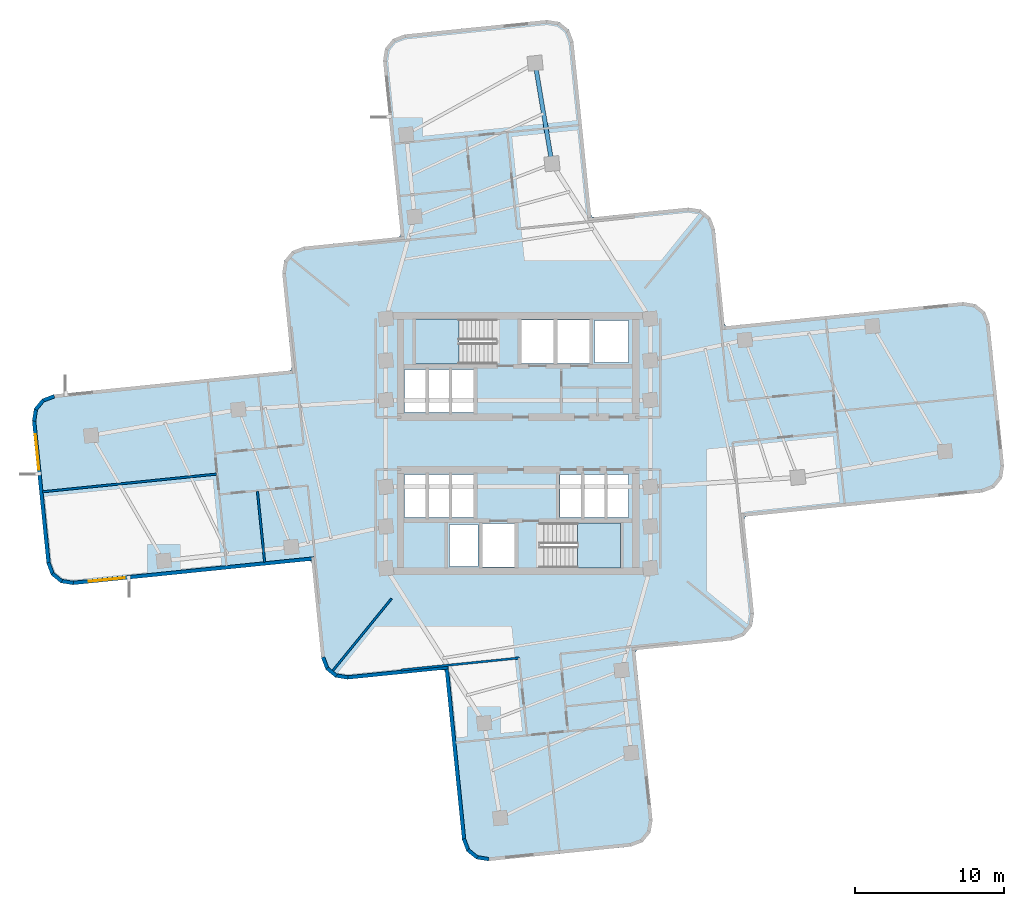
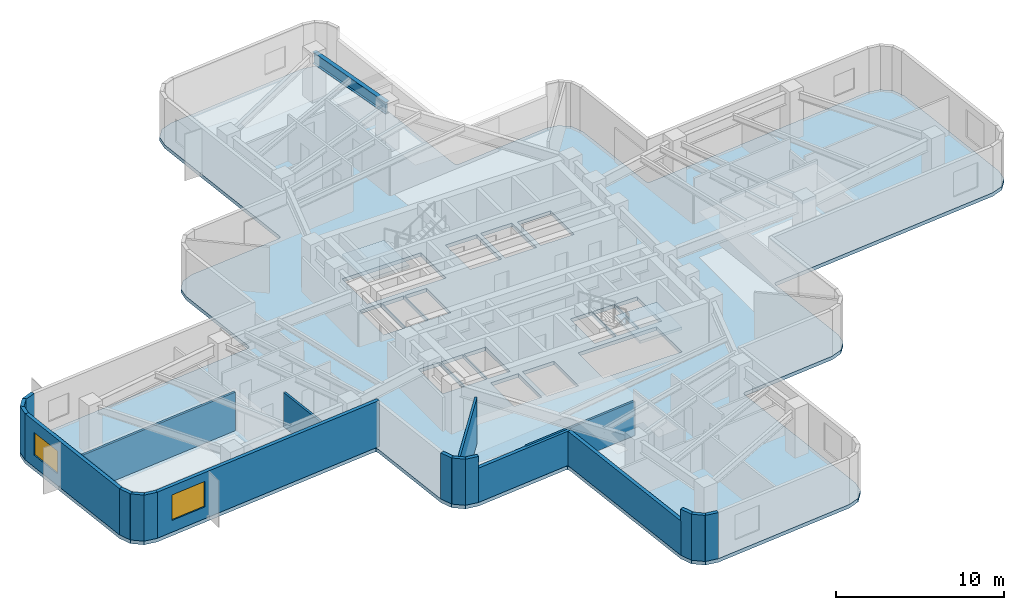
# One storey, part 2 of 9: 20 walls, 3 slabs, 2 windows, 1 beam, 2 openings, 2 elements without a shape of their own.
"""IFC4 building model written with IfcOpenShell, lengths in metres."""

from ifc_helpers import new_model, si_unit, direction, frame, frame_2d, origin, origin_2d, place, context, subcontext, project, spatial, polyline, rectangle, i_section, outline, extrude, material, layer, layer_set, material_profile, profile_set, type_object, element, fill, aggregate, save


model = new_model("IFC4")

# Units and contexts
model_context = context("Model", 3, precision=1e-05, world=origin(), true_north=direction((0.0, 1.0)))
body_context = subcontext(model_context, "Body", "Model", "MODEL_VIEW")
ifc_project = project(units=[si_unit("LENGTHUNIT", "METRE"), si_unit("AREAUNIT", "SQUARE_METRE"), si_unit("VOLUMEUNIT", "CUBIC_METRE"), si_unit("PLANEANGLEUNIT", "RADIAN"), si_unit("MASSUNIT", "GRAM", prefix="KILO")], contexts=[model_context])

# Site, building, storey
site_placement = place(None, origin())
site = spatial("IfcSite", under=ifc_project, at=site_placement, CompositionType="ELEMENT")
building_placement = place(site_placement, origin())
building = spatial("IfcBuilding", under=site, at=building_placement, Name="Solmarez Civic Tower", CompositionType="ELEMENT")
storey_placement = place(building_placement, frame((0.0, 0.0, 71.280029296875)))
storey = spatial("IfcBuildingStorey", under=building, at=storey_placement, Name="L18", CompositionType="ELEMENT", Elevation=71.280029296875)

# Beam
ifc_material_1 = material(Name="Steel S355", Category="steel")
ifc_material_profile = material_profile(ifc_material_1, i_section(OverallWidth=0.2919921875, OverallDepth=0.845947265625, WebThickness=0.015380859375, FlangeThickness=0.0244140625, at=origin_2d()), Name="W33X141")
ifc_profile_set = profile_set([ifc_material_profile], Name="Steel S355")
beam_type = type_object("IfcBeamType", Name="BM-PR-W33X141", PredefinedType="BEAM", material=ifc_profile_set)
beam_placement = place(storey_placement, frame((2.27099609375, 18.72412109375, 2.9169921875), z_axis=(-0.165813708215, 0.986157094062, 0.0), x_axis=(-0.986157094062, -0.165813708215, 0.0)))
element("IfcBeam", 1, at=beam_placement, inside=storey, type_object=beam_type, Name="L18 Primary Floor Beam BM-L18-NA-R2A", PredefinedType="BEAM", context=body_context, shape_type="SweptSolid", body=[
    extrude(i_section(OverallWidth=0.2919921875, OverallDepth=0.845947265625, WebThickness=0.015380859375, FlangeThickness=0.0244140625, at=origin_2d()), origin(), (0.0, 0.0, 1.0), 6.827392578125),
])

# Stair, slab
ifc_material_2 = material(Name="Concrete C50/60", Category="concrete")
stair_type = type_object("IfcStairType", Name="STAIR-DOGLEG-140W-20R-1800", PredefinedType="HALF_TURN_STAIR", material=ifc_material_2)
stair_1_placement = place(storey_placement, origin())
stair_1 = element("IfcStair", 2, at=stair_1_placement, inside=storey, type_object=stair_type, Name="L18 North Core Protected Exit Stair ST-1", PredefinedType="HALF_TURN_STAIR")
ifc_layer_1 = layer(ifc_material_2, 0.199951171875)
ifc_layer_set_1 = layer_set([ifc_layer_1], Name="Concrete C50/60")
slab_type_1 = type_object("IfcSlabType", Name="SLAB-LANDING-200", PredefinedType="LANDING", material=ifc_layer_set_1)
slab_1_placement = place(storey_placement, frame((0.0, 0.0, 1.599853515625)))
slab_1 = element("IfcSlab", 3, at=slab_1_placement, type_object=slab_type_1, Name="ST-1 landing 1", PredefinedType="LANDING", context=body_context, shape_type="SweptSolid", body=[
    extrude(outline(polyline([(-3.969970703125, 8.320068359375), (-6.85009765625, 8.320068359375), (-6.85009765625, 5.320068359375), (-3.969970703125, 5.320068359375), (-3.969970703125, 8.320068359375)])), origin(), (0.0, 0.0, 1.0), 0.2001953125),
])
aggregate(stair_1, [slab_1])

stair_2_placement = place(storey_placement, origin())
stair_2 = element("IfcStair", 4, at=stair_2_placement, inside=storey, type_object=stair_type, Name="L18 South Core Protected Exit Stair ST-2", PredefinedType="HALF_TURN_STAIR")
slab_2_placement = place(storey_placement, frame((0.0, 0.0, 1.599853515625)))
slab_2 = element("IfcSlab", 5, at=slab_2_placement, type_object=slab_type_1, Name="ST-2 landing 1", PredefinedType="LANDING", context=body_context, shape_type="SweptSolid", body=[
    extrude(outline(polyline([(3.969970703125, -8.320068359375), (6.85009765625, -8.320068359375), (6.85009765625, -5.320068359375), (3.969970703125, -5.320068359375), (3.969970703125, -8.320068359375)])), origin(), (0.0, 0.0, 1.0), 0.2001953125),
])
aggregate(stair_2, [slab_2])

# Slab
ifc_layer_2 = layer(ifc_material_2, 0.260009765625)
ifc_layer_set_2 = layer_set([ifc_layer_2], Name="Concrete C50/60")
slab_type_2 = type_object("IfcSlabType", Name="SLAB-TOWER-260", PredefinedType="FLOOR", material=ifc_layer_set_2)
slab_3_placement = place(storey_placement, frame((0.0, 0.0, -0.260009765625)))
element("IfcSlab", 6, at=slab_3_placement, inside=storey, type_object=slab_type_2, Name="L18 Structural Slab", PredefinedType="FLOOR", context=body_context, shape_type="SweptSolid", body=[
    extrude(outline(polyline([(-13.806884765625, -8.047119140625), (-13.1669921875, -14.35400390625), (-12.873046875, -15.1279296875), (-12.23095703125, -15.652099609375), (-11.4130859375, -15.783935546875), (-5.10595703125, -15.14404296875), (-4.93701171875, -15.1708984375), (-4.8759765625, -15.33203125), (-3.739990234375, -26.513916015625), (-3.446044921875, -27.2880859375), (-2.803955078125, -27.81103515625), (-1.986083984375, -27.944091796875), (7.56494140625, -26.97412109375), (8.339111328125, -26.679931640625), (8.862060546875, -26.0380859375), (8.9951171875, -25.219970703125), (7.85888671875, -14.0380859375), (7.885986328125, -13.868896484375), (8.047119140625, -13.806884765625), (14.35400390625, -13.1669921875), (15.1279296875, -12.873046875), (15.652099609375, -12.23095703125), (15.783935546875, -11.4130859375), (15.14404296875, -5.10595703125), (15.1708984375, -4.93701171875), (15.33203125, -4.8759765625), (31.090087890625, -3.27490234375), (31.864013671875, -2.98095703125), (32.387939453125, -2.339111328125), (32.52001953125, -1.52099609375), (31.550048828125, 8.029052734375), (31.256103515625, 8.803955078125), (30.614013671875, 9.326904296875), (29.797119140625, 9.4599609375), (14.0380859375, 7.85888671875), (13.868896484375, 7.885986328125), (13.806884765625, 8.047119140625), (13.1669921875, 14.35400390625), (12.873046875, 15.1279296875), (12.23095703125, 15.652099609375), (11.4130859375, 15.783935546875), (5.10595703125, 15.14404296875), (4.93701171875, 15.1708984375), (4.8759765625, 15.33203125), (3.698974609375, 26.912109375), (3.405029296875, 27.68603515625), (2.762939453125, 28.208984375), (1.946044921875, 28.342041015625), (-7.60498046875, 27.3720703125), (-8.37890625, 27.076904296875), (-8.903076171875, 26.43603515625), (-9.034912109375, 25.617919921875), (-7.85888671875, 14.0380859375), (-7.885986328125, 13.868896484375), (-8.047119140625, 13.806884765625), (-14.35400390625, 13.1669921875), (-15.1279296875, 12.873046875), (-15.652099609375, 12.23095703125), (-15.783935546875, 11.4130859375), (-15.14404296875, 5.10595703125), (-15.1708984375, 4.93701171875), (-15.33203125, 4.8759765625), (-31.090087890625, 3.27490234375), (-31.864013671875, 2.98095703125), (-32.387939453125, 2.339111328125), (-32.52001953125, 1.52099609375), (-31.550048828125, -8.029052734375), (-31.256103515625, -8.803955078125), (-30.614013671875, -9.326904296875), (-29.797119140625, -9.4599609375), (-14.0380859375, -7.85888671875), (-13.868896484375, -7.885986328125), (-13.806884765625, -8.047119140625)]), holes=[polyline([(-1.449951171875, 8.320068359375), (-6.85009765625, 8.320068359375), (-6.85009765625, 5.320068359375), (-1.449951171875, 5.320068359375), (-1.449951171875, 8.320068359375)]), polyline([(1.449951171875, -8.320068359375), (6.85009765625, -8.320068359375), (6.85009765625, -5.320068359375), (1.449951171875, -5.320068359375), (1.449951171875, -8.320068359375)]), polyline([(0.219970703125, 5.360107421875), (2.3798828125, 5.360107421875), (2.3798828125, 8.280029296875), (0.219970703125, 8.280029296875), (0.219970703125, 5.360107421875)]), polyline([(2.6201171875, 5.360107421875), (4.780029296875, 5.360107421875), (4.780029296875, 8.280029296875), (2.6201171875, 8.280029296875), (2.6201171875, 5.360107421875)]), polyline([(-2.3798828125, -8.280029296875), (-0.219970703125, -8.280029296875), (-0.219970703125, -5.360107421875), (-2.3798828125, -5.360107421875), (-2.3798828125, -8.280029296875)]), polyline([(2.800048828125, -4.9599609375), (4.280029296875, -4.9599609375), (4.280029296875, -2.06005859375), (2.800048828125, -2.06005859375), (2.800048828125, -4.9599609375)]), polyline([(4.360107421875, -4.9599609375), (5.840087890625, -4.9599609375), (5.840087890625, -2.06005859375), (4.360107421875, -2.06005859375), (4.360107421875, -4.9599609375)]), polyline([(5.919921875, -4.9599609375), (7.39990234375, -4.9599609375), (7.39990234375, -2.06005859375), (5.919921875, -2.06005859375), (5.919921875, -4.9599609375)]), polyline([(-7.60009765625, -4.9599609375), (-6.1201171875, -4.9599609375), (-6.1201171875, -2.06005859375), (-7.60009765625, -2.06005859375), (-7.60009765625, -4.9599609375)]), polyline([(-6.0400390625, -4.9599609375), (-4.56005859375, -4.9599609375), (-4.56005859375, -2.06005859375), (-6.0400390625, -2.06005859375), (-6.0400390625, -4.9599609375)]), polyline([(-4.47998046875, -4.9599609375), (-3.0, -4.9599609375), (-3.0, -2.06005859375), (-4.47998046875, -2.06005859375), (-4.47998046875, -4.9599609375)]), polyline([(-7.60009765625, 2.06005859375), (-6.1201171875, 2.06005859375), (-6.1201171875, 4.9599609375), (-7.60009765625, 4.9599609375), (-7.60009765625, 2.06005859375)]), polyline([(-6.0400390625, 2.06005859375), (-4.56005859375, 2.06005859375), (-4.56005859375, 4.9599609375), (-6.0400390625, 4.9599609375), (-6.0400390625, 2.06005859375)]), polyline([(-4.47998046875, 2.06005859375), (-3.0, 2.06005859375), (-3.0, 4.9599609375), (-4.47998046875, 4.9599609375), (-4.47998046875, 2.06005859375)]), polyline([(5.10009765625, 5.419921875), (7.39990234375, 5.419921875), (7.39990234375, 8.219970703125), (5.10009765625, 8.219970703125), (5.10009765625, 5.419921875)]), polyline([(-4.60009765625, -8.219970703125), (-2.699951171875, -8.219970703125), (-2.699951171875, -5.419921875), (-4.60009765625, -5.419921875), (-4.60009765625, -8.219970703125)])]), origin(), (0.0, 0.0, 1.0), 0.260009765625),
])

# Wall, opening, window
ifc_material_3 = material(Name="Precast concrete C40/50", Category="concrete")
ifc_layer_3 = layer(ifc_material_3, 0.239990234375)
ifc_layer_set_3 = layer_set([ifc_layer_3], Name="Precast concrete C40/50")
wall_type_1 = type_object("IfcWallType", Name="WALL-EXT-240", PredefinedType="SOLIDWALL", material=ifc_layer_set_3)
wall_1_placement = place(storey_placement, frame((-13.6259765625, -7.696044921875, 0.0), z_axis=(0.0, 0.0, 1.0), x_axis=(-0.994872930989, -0.101132839298, 0.0)))
wall_1 = element("IfcWall", 7, at=wall_1_placement, inside=storey, type_object=wall_type_1, Name="L18 Exterior Precast Wall 2", PredefinedType="SOLIDWALL", context=body_context, shape_type="SweptSolid", body=[
    extrude(rectangle(XDim=16.275634765625, YDim=0.239990234375, at=frame_2d((8.1376953125, 0.0))), origin(), (0.0, 0.0, 1.0), 3.340087890625),
])
opening_1_placement = place(wall_1_placement, frame((12.77490234375, 0.0, 0.85009765625)))
opening_1 = element("IfcOpeningElement", 8, at=opening_1_placement, cuts=wall_1, Name="Opening W-06", PredefinedType="OPENING", context=body_context, shape_type="SweptSolid", body=[
    extrude(rectangle(XDim=2.39990234375, YDim=1.85009765625, at=frame_2d((1.199951171875, 0.925048828125))), frame((0.0, 0.1298828125, 0.0), z_axis=(0.0, -1.0, 0.0), x_axis=(1.0, 0.0, 0.0)), (0.0, 0.0, 1.0), 0.260009765625),
])
ifc_material_4 = material(Name="Solar Control Bronze-Tinted Insulating Glass", Category="glass")
window_type_1 = type_object("IfcWindowType", Name="WIN-2400X1850", PartitioningType="SINGLE_PANEL", PredefinedType="WINDOW", material=ifc_material_4)
window_1_placement = place(opening_1_placement, origin())
window_1 = element("IfcWindow", 9, at=window_1_placement, inside=storey, type_object=window_type_1, Name="L18 Exterior Facade Window 2", OverallHeight=1.85009765625, OverallWidth=2.39990234375, PartitioningType="SINGLE_PANEL", PredefinedType="WINDOW", context=body_context, shape_type="SweptSolid", body=[
    extrude(rectangle(XDim=2.39990234375, YDim=1.85009765625, at=frame_2d((1.199951171875, 0.925048828125))), frame((0.0, 0.030029296875, 0.0), z_axis=(0.0, -1.0, 0.0), x_axis=(1.0, 0.0, 0.0)), (0.0, 0.0, 1.0), 0.06005859375),
])
fill(opening_1, window_1)

# Walls
wall_2_placement = place(storey_placement, frame((-29.76806640625, -9.343017578125, 0.0), z_axis=(0.0, 0.0, 1.0), x_axis=(-0.987084128833, 0.160202754679, 0.0)))
element("IfcWall", 10, at=wall_2_placement, inside=storey, type_object=wall_type_1, Name="L18 Exterior Precast Wall 3", PredefinedType="SOLIDWALL", context=body_context, shape_type="SweptSolid", body=[
    extrude(rectangle(XDim=0.83056640625, YDim=0.239990234375, at=frame_2d((0.415283203125, 0.0))), origin(), (0.0, 0.0, 1.0), 3.340087890625),
])
wall_3_placement = place(storey_placement, frame((-30.5439453125, -9.22998046875, 0.0), z_axis=(0.0, 0.0, 1.0), x_axis=(-0.774358164226, 0.632747527452, 0.0)))
element("IfcWall", 11, at=wall_3_placement, inside=storey, type_object=wall_type_1, Name="L18 Exterior Precast Wall 4", PredefinedType="SOLIDWALL", context=body_context, shape_type="SweptSolid", body=[
    extrude(rectangle(XDim=0.813720703125, YDim=0.239990234375, at=frame_2d((0.40673828125, 0.0))), origin(), (0.0, 0.0, 1.0), 3.340087890625),
])
wall_4_placement = place(storey_placement, frame((-31.14599609375, -8.75390625, 0.0), z_axis=(0.0, 0.0, 1.0), x_axis=(-0.355701438235, 0.934599639866, 0.0)))
element("IfcWall", 12, at=wall_4_placement, inside=storey, type_object=wall_type_1, Name="L18 Exterior Precast Wall 5", PredefinedType="SOLIDWALL", context=body_context, shape_type="SweptSolid", body=[
    extrude(rectangle(XDim=0.8291015625, YDim=0.239990234375, at=frame_2d((0.41455078125, 0.0))), origin(), (0.0, 0.0, 1.0), 3.340087890625),
])

# Wall, opening, window
wall_5_placement = place(storey_placement, frame((-31.428955078125, -8.027099609375, 0.0), z_axis=(0.0, 0.0, 1.0), x_axis=(-0.101164586776, 0.994869703219, 0.0)))
wall_5 = element("IfcWall", 13, at=wall_5_placement, inside=storey, type_object=wall_type_1, Name="L18 Exterior Precast Wall 6", PredefinedType="SOLIDWALL", context=body_context, shape_type="SweptSolid", body=[
    extrude(rectangle(XDim=9.619384765625, YDim=0.239990234375, at=frame_2d((4.8095703125, 0.0))), origin(), (0.0, 0.0, 1.0), 3.340087890625),
])
opening_2_placement = place(wall_5_placement, frame((6.302978515625, 0.0, 0.85009765625)))
opening_2 = element("IfcOpeningElement", 14, at=opening_2_placement, cuts=wall_5, Name="Opening W-10", PredefinedType="OPENING", context=body_context, shape_type="SweptSolid", body=[
    extrude(rectangle(XDim=2.39990234375, YDim=1.64990234375, at=frame_2d((1.199951171875, 0.824951171875))), frame((0.0, 0.1298828125, 0.0), z_axis=(0.0, -1.0, 0.0), x_axis=(1.0, 0.0, 0.0)), (0.0, 0.0, 1.0), 0.260009765625),
])
window_type_2 = type_object("IfcWindowType", Name="WIN-2400X1650", PartitioningType="SINGLE_PANEL", PredefinedType="WINDOW", material=ifc_material_4)
window_2_placement = place(opening_2_placement, origin())
window_2 = element("IfcWindow", 15, at=window_2_placement, inside=storey, type_object=window_type_2, Name="L18 Exterior Facade Window 6", OverallHeight=1.64990234375, OverallWidth=2.39990234375, PartitioningType="SINGLE_PANEL", PredefinedType="WINDOW", context=body_context, shape_type="SweptSolid", body=[
    extrude(rectangle(XDim=2.39990234375, YDim=1.64990234375, at=frame_2d((1.199951171875, 0.824951171875))), frame((0.0, 0.030029296875, 0.0), z_axis=(0.0, -1.0, 0.0), x_axis=(1.0, 0.0, 0.0)), (0.0, 0.0, 1.0), 0.06005859375),
])
fill(opening_2, window_2)

# Walls
wall_6_placement = place(storey_placement, frame((-32.403076171875, 1.492919921875, 0.0), z_axis=(0.0, 0.0, 1.0), x_axis=(0.160156284613, 0.987091669755, 0.0)))
element("IfcWall", 16, at=wall_6_placement, inside=storey, type_object=wall_type_1, Name="L18 Exterior Precast Wall 7", PredefinedType="SOLIDWALL", context=body_context, shape_type="SweptSolid", body=[
    extrude(rectangle(XDim=0.830810546875, YDim=0.239990234375, at=frame_2d((0.41552734375, 0.0))), origin(), (0.0, 0.0, 1.0), 3.340087890625),
])
wall_7_placement = place(storey_placement, frame((-32.2900390625, 2.26904296875, 0.0), z_axis=(0.0, 0.0, 1.0), x_axis=(0.632354425822, 0.774679211121, 0.0)))
element("IfcWall", 17, at=wall_7_placement, inside=storey, type_object=wall_type_1, Name="L18 Exterior Precast Wall 8", PredefinedType="SOLIDWALL", context=body_context, shape_type="SweptSolid", body=[
    extrude(rectangle(XDim=0.81298828125, YDim=0.239990234375, at=frame_2d((0.406494140625, 0.0))), origin(), (0.0, 0.0, 1.0), 3.340087890625),
])
wall_8_placement = place(storey_placement, frame((-31.81494140625, 2.87109375, 0.0), z_axis=(0.0, 0.0, 1.0), x_axis=(0.934748415991, 0.355310285248, 0.0)))
element("IfcWall", 18, at=wall_8_placement, inside=storey, type_object=wall_type_1, Name="L18 Exterior Precast Wall 9", PredefinedType="SOLIDWALL", context=body_context, shape_type="SweptSolid", body=[
    extrude(rectangle(XDim=0.830078125, YDim=0.239990234375, at=frame_2d((0.4150390625, 0.0))), origin(), (0.0, 0.0, 1.0), 3.340087890625),
])
wall_9_placement = place(storey_placement, frame((-1.9580078125, -27.826904296875, 0.0), z_axis=(0.0, 0.0, 1.0), x_axis=(-0.987138087172, 0.159869937309, 0.0)))
element("IfcWall", 19, at=wall_9_placement, inside=storey, type_object=wall_type_1, Name="L18 Exterior Precast Wall 61", PredefinedType="SOLIDWALL", context=body_context, shape_type="SweptSolid", body=[
    extrude(rectangle(XDim=0.830810546875, YDim=0.239990234375, at=frame_2d((0.41552734375, 0.0))), origin(), (0.0, 0.0, 1.0), 3.340087890625),
])
wall_10_placement = place(storey_placement, frame((-2.73388671875, -27.714111328125, 0.0), z_axis=(0.0, 0.0, 1.0), x_axis=(-0.774211168236, 0.632927378914, 0.0)))
element("IfcWall", 20, at=wall_10_placement, inside=storey, type_object=wall_type_1, Name="L18 Exterior Precast Wall 62", PredefinedType="SOLIDWALL", context=body_context, shape_type="SweptSolid", body=[
    extrude(rectangle(XDim=0.81396484375, YDim=0.239990234375, at=frame_2d((0.406982421875, 0.0))), origin(), (0.0, 0.0, 1.0), 3.340087890625),
])
wall_11_placement = place(storey_placement, frame((-3.3359375, -27.238037109375, 0.0), z_axis=(0.0, 0.0, 1.0), x_axis=(-0.355860683833, 0.934539016683, 0.0)))
element("IfcWall", 21, at=wall_11_placement, inside=storey, type_object=wall_type_1, Name="L18 Exterior Precast Wall 63", PredefinedType="SOLIDWALL", context=body_context, shape_type="SweptSolid", body=[
    extrude(rectangle(XDim=0.829345703125, YDim=0.239990234375, at=frame_2d((0.41455078125, 0.0))), origin(), (0.0, 0.0, 1.0), 3.340087890625),
])
wall_12_placement = place(storey_placement, frame((-3.618896484375, -26.510986328125, 0.0), z_axis=(0.0, 0.0, 1.0), x_axis=(-0.101161877239, 0.994869978738, 0.0)))
element("IfcWall", 22, at=wall_12_placement, inside=storey, type_object=wall_type_1, Name="L18 Exterior Precast Wall 64", PredefinedType="SOLIDWALL", context=body_context, shape_type="SweptSolid", body=[
    extrude(rectangle(XDim=11.67578125, YDim=0.239990234375, at=frame_2d((5.837890625, 0.0))), origin(), (0.0, 0.0, 1.0), 2.486083984375),
])
wall_13_placement = place(storey_placement, frame((-4.694091796875, -14.98095703125, 0.0), z_axis=(0.0, 0.0, 1.0), x_axis=(-0.994875719665, -0.101105402534, 0.0)))
element("IfcWall", 23, at=wall_13_placement, inside=storey, type_object=wall_type_1, Name="L18 Exterior Precast Wall 67", PredefinedType="SOLIDWALL", context=body_context, shape_type="SweptSolid", body=[
    extrude(rectangle(XDim=6.775634765625, YDim=0.239990234375, at=frame_2d((3.3876953125, 0.0))), origin(), (0.0, 0.0, 1.0), 2.486083984375),
])
wall_14_placement = place(storey_placement, frame((-11.385009765625, -15.6669921875, 0.0), z_axis=(0.0, 0.0, 1.0), x_axis=(-0.987091669755, 0.160156284613, 0.0)))
element("IfcWall", 24, at=wall_14_placement, inside=storey, type_object=wall_type_1, Name="L18 Exterior Precast Wall 68", PredefinedType="SOLIDWALL", context=body_context, shape_type="SweptSolid", body=[
    extrude(rectangle(XDim=0.830810546875, YDim=0.239990234375, at=frame_2d((0.41552734375, 0.0))), origin(), (0.0, 0.0, 1.0), 3.340087890625),
])
wall_15_placement = place(storey_placement, frame((-12.160888671875, -15.553955078125, 0.0), z_axis=(0.0, 0.0, 1.0), x_axis=(-0.774946287969, 0.632027096542, 0.0)))
element("IfcWall", 25, at=wall_15_placement, inside=storey, type_object=wall_type_1, Name="L18 Exterior Precast Wall 69", PredefinedType="SOLIDWALL", context=body_context, shape_type="SweptSolid", body=[
    extrude(rectangle(XDim=0.813232421875, YDim=0.239990234375, at=frame_2d((0.40673828125, 0.0))), origin(), (0.0, 0.0, 1.0), 3.340087890625),
])
wall_16_placement = place(storey_placement, frame((-12.762939453125, -15.0791015625, 0.0), z_axis=(0.0, 0.0, 1.0), x_axis=(-0.355469529522, 0.934687869602, 0.0)))
element("IfcWall", 26, at=wall_16_placement, inside=storey, type_object=wall_type_1, Name="L18 Exterior Precast Wall 70", PredefinedType="SOLIDWALL", context=body_context, shape_type="SweptSolid", body=[
    extrude(rectangle(XDim=0.830322265625, YDim=0.239990234375, at=frame_2d((0.4150390625, 0.0))), origin(), (0.0, 0.0, 1.0), 3.340087890625),
])
ifc_material_5 = material(Name="Gypsum Board Acoustic Steel-Stud Partition", Category="steel")
ifc_layer_4 = layer(ifc_material_5, 0.14501953125)
ifc_layer_set_4 = layer_set([ifc_layer_4], Name="Gypsum Board Acoustic Steel-Stud Partition")
wall_type_2 = type_object("IfcWallType", Name="WALL-INT-PART-150", PredefinedType="PARTITIONING", material=ifc_layer_set_4)
wall_17_placement = place(storey_placement, frame((-8.466064453125, -10.3798828125, 0.0), z_axis=(0.0, 0.0, 1.0), x_axis=(-0.631992375104, -0.774974604623, 0.0)))
element("IfcWall", 27, at=wall_17_placement, inside=storey, type_object=wall_type_2, Name="L18 Interior Partition PT-L18-QDIV-3", PredefinedType="PARTITIONING", context=body_context, shape_type="SweptSolid", body=[
    extrude(rectangle(XDim=6.259765625, YDim=0.14501953125, at=frame_2d((3.1298828125, 0.0))), origin(), (0.0, 0.0, 1.0), 3.340087890625),
])
wall_18_placement = place(storey_placement, frame((-17.447998046875, -3.179931640625, 0.0), z_axis=(0.0, 0.0, 1.0), x_axis=(0.101177373152, -0.994868402937, 0.0)))
element("IfcWall", 28, at=wall_18_placement, inside=storey, type_object=wall_type_2, Name="L18 Interior Partition PT-L18-W-LM", PredefinedType="PARTITIONING", context=body_context, shape_type="SweptSolid", body=[
    extrude(rectangle(XDim=4.794677734375, YDim=0.14501953125, at=frame_2d((2.3974609375, 0.0))), origin(), (0.0, 0.0, 1.0), 2.486083984375),
])
wall_19_placement = place(storey_placement, frame((-20.196044921875, -2.051025390625, 0.0), z_axis=(0.0, 0.0, 1.0), x_axis=(-0.994871935232, -0.101142634371, 0.0)))
element("IfcWall", 29, at=wall_19_placement, inside=storey, type_object=wall_type_2, Name="L18 Interior Partition PT-L18-W-TM", PredefinedType="PARTITIONING", context=body_context, shape_type="SweptSolid", body=[
    extrude(rectangle(XDim=11.695068359375, YDim=0.14501953125, at=frame_2d((5.84765625, 0.0))), origin(), (0.0, 0.0, 1.0), 2.79296875),
])
wall_20_placement = place(storey_placement, frame((-7.827880859375, -15.158935546875, 0.0), z_axis=(0.0, 0.0, 1.0), x_axis=(0.994873184944, 0.101130341041, 0.0)))
element("IfcWall", 30, at=wall_20_placement, inside=storey, type_object=wall_type_2, Name="L18 Interior Partition PT-L18-S-EFR", PredefinedType="PARTITIONING", context=body_context, shape_type="SweptSolid", body=[
    extrude(rectangle(XDim=7.94970703125, YDim=0.14501953125, at=frame_2d((3.974853515625, 0.0))), origin(), (0.0, 0.0, 1.0), 2.486083984375),
])

save(model, "model.ifc")
